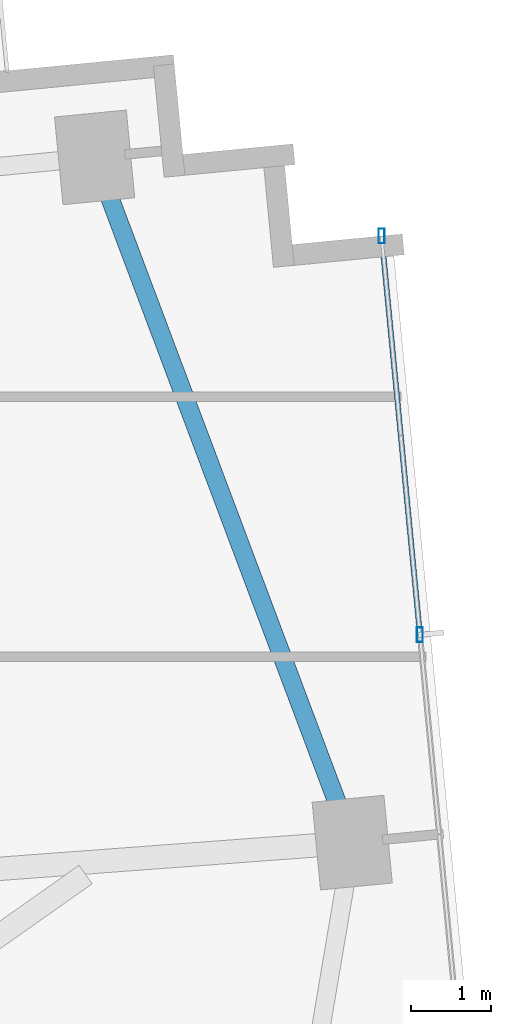
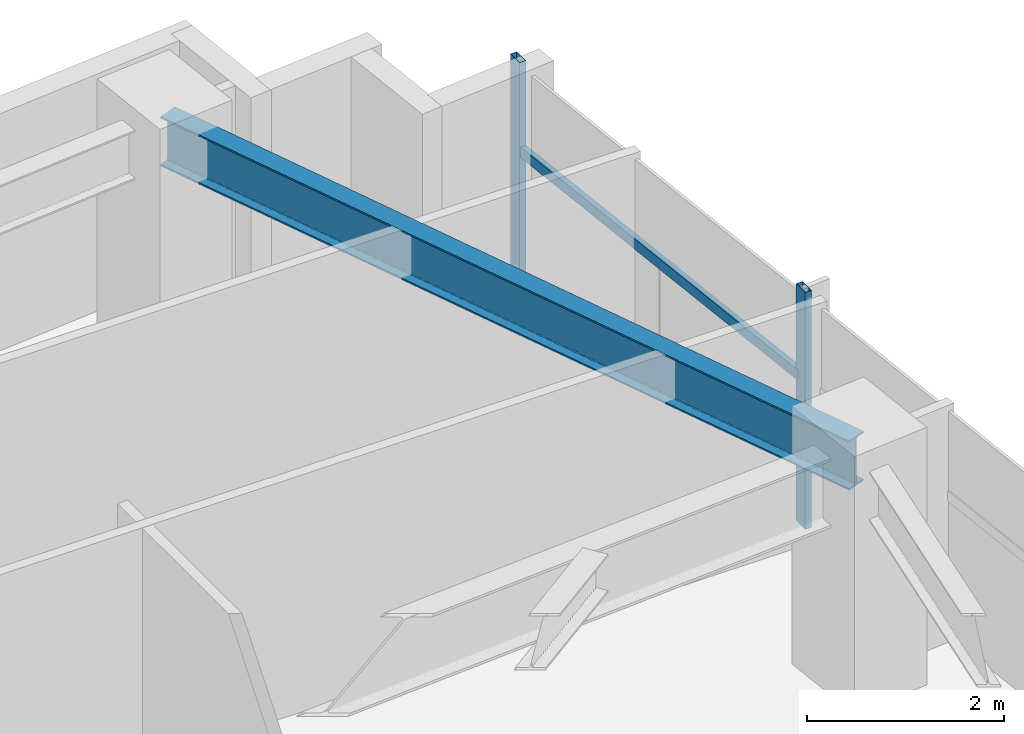
# One storey, part 17 of 25: 3 members, 1 beam, 1 element without a shape of its own.
"""IFC4 building model written with IfcOpenShell, lengths in metres."""

from ifc_helpers import new_model, si_unit, direction, frame, origin, origin_2d, place, context, subcontext, project, spatial, hollow_rectangle, i_section, extrude, source, transform, mapped, material, material_profile, profile_set, type_object, type_shapes, element, aggregate, save


model = new_model("IFC4")

# Units and contexts
model_context = context("Model", 3, precision=1e-05, world=origin(), true_north=direction((0.0, 1.0)))
body_context = subcontext(model_context, "Body", "Model", "MODEL_VIEW")
ifc_project = project(units=[si_unit("LENGTHUNIT", "METRE"), si_unit("AREAUNIT", "SQUARE_METRE"), si_unit("VOLUMEUNIT", "CUBIC_METRE"), si_unit("PLANEANGLEUNIT", "RADIAN"), si_unit("MASSUNIT", "GRAM", prefix="KILO")], contexts=[model_context])

# Site, building, storey
site_placement = place(None, origin())
site = spatial("IfcSite", under=ifc_project, at=site_placement, CompositionType="ELEMENT")
building_placement = place(site_placement, origin())
building = spatial("IfcBuilding", under=site, at=building_placement, Name="Astriad Promenade Condominiums", CompositionType="ELEMENT")
storey_placement = place(building_placement, frame((0.0, 0.0, 106.60009765625)))
storey = spatial("IfcBuildingStorey", under=building, at=storey_placement, Name="L30", CompositionType="ELEMENT", Elevation=106.60009765625)

# Beam
ifc_material_1 = material(Name="Steel ASTM A992 Grade 50", Category="steel")
ifc_material_profile_1 = material_profile(ifc_material_1, i_section(OverallWidth=0.22900390625, OverallDepth=0.612060546875, WebThickness=0.011962890625, FlangeThickness=0.01953125, FilletRadius=0.017822265625, at=origin_2d()), Name="W24X84")
ifc_profile_set_1 = profile_set([ifc_material_profile_1], Name="Steel ASTM A992 Grade 50")
beam_type = type_object("IfcBeamType", Name="STEEL SPANDREL BEAM W24X84", PredefinedType="SPANDREL", material=ifc_profile_set_1)
shared_shape_1 = source(origin(), body_context, "Body", "SweptSolid", [
    extrude(i_section(OverallWidth=0.22900390625, OverallDepth=0.612060546875, WebThickness=0.011962890625, FlangeThickness=0.01953125, FilletRadius=0.017822265625, at=origin_2d()), origin(), (0.0, 0.0, 1.0), 9.0556640625),
])
type_shapes(beam_type, [shared_shape_1])
beam_placement = place(storey_placement, frame((67.63427734375, 19.07666015625, 2.6337890625), z_axis=(-0.351856057459, 0.936054119605, 0.0), x_axis=(-0.936054119605, -0.351856057459, 0.0)))
element("IfcBeam", 1, at=beam_placement, inside=storey, type_object=beam_type, Name="Perimeter Spandrel Beam SP-E2-L30", PredefinedType="SPANDREL", context=body_context, shape_type="MappedRepresentation", body=[
    mapped(shared_shape_1, transform((0.0, 0.0, 0.0), scale=1.0)),
])

# Curtain wall, members
ifc_material_2 = material(Name="Anodised aluminium Black Dark Glass Unitised", Category="aluminium")
curtain_wall_type = type_object("IfcCurtainWallType", Name="CW-B2-DARK", PredefinedType="USERDEFINED", material=ifc_material_2)
curtain_wall_placement = place(storey_placement, origin())
curtain_wall = element("IfcCurtainWall", 2, at=curtain_wall_placement, inside=storey, type_object=curtain_wall_type, Name="CW-L30-E", ObjectType="UNITISED_CURTAIN_WALL", PredefinedType="USERDEFINED")
ifc_material_3 = material(Name="Anodised aluminium 6063-T6 Black", Category="aluminium")
ifc_material_profile_2 = material_profile(ifc_material_3, hollow_rectangle(XDim=0.074951171875, YDim=0.18505859375, WallThickness=0.00439453125, at=origin_2d()), Name="ALU-MUL-75X185")
ifc_profile_set_2 = profile_set([ifc_material_profile_2], Name="Anodised aluminium 6063-T6 Black")
member_type_1 = type_object("IfcMemberType", Name="MUL-ALU-MUL-75X185", PredefinedType="MULLION", material=ifc_profile_set_2)
shared_shape_2 = source(origin(), body_context, "Body", "SweptSolid", [
    extrude(hollow_rectangle(XDim=0.074951171875, YDim=0.18505859375, WallThickness=0.00439453125, at=origin_2d()), origin(), (0.0, 0.0, 1.0), 2.93994140625),
])
type_shapes(member_type_1, [shared_shape_2])
member_1_placement = place(storey_placement, frame((68.0146484375, 26.609130859375, 0.0), z_axis=(0.0, 0.0, 1.0), x_axis=(1.0, 0.0, 0.0)))
member_1 = element("IfcMember", 3, at=member_1_placement, type_object=member_type_1, Name="CW-L30-E-MUL-00", PredefinedType="MULLION", context=body_context, shape_type="MappedRepresentation", body=[
    mapped(shared_shape_2, transform((0.0, 0.0, 0.0), scale=1.0)),
])
member_2_placement = place(storey_placement, frame((68.493896484375, 21.632080078125, 0.0), z_axis=(0.0, 0.0, 1.0), x_axis=(1.0, 0.0, 0.0)))
member_2 = element("IfcMember", 4, at=member_2_placement, type_object=member_type_1, Name="CW-L30-E-MUL-01", PredefinedType="MULLION", context=body_context, shape_type="MappedRepresentation", body=[
    mapped(shared_shape_2, transform((0.0, 0.0, 0.0), scale=1.0)),
])
ifc_material_profile_3 = material_profile(ifc_material_3, hollow_rectangle(XDim=0.06494140625, YDim=0.1298828125, WallThickness=0.00390625, at=origin_2d()), Name="ALU-TRN-65X130")
ifc_profile_set_3 = profile_set([ifc_material_profile_3], Name="Anodised aluminium 6063-T6 Black")
member_type_2 = type_object("IfcMemberType", Name="TRN-ALU-TRN-65X130", PredefinedType="USERDEFINED", material=ifc_profile_set_3)
shared_shape_3 = source(origin(), body_context, "Body", "SweptSolid", [
    extrude(hollow_rectangle(XDim=0.06494140625, YDim=0.1298828125, WallThickness=0.00390625, at=origin_2d()), origin(), (0.0, 0.0, 1.0), 5.0),
])
type_shapes(member_type_2, [shared_shape_3])
member_3_placement = place(storey_placement, frame((68.0146484375, 26.609130859375, 1.82275390625), z_axis=(0.095848242264, -0.995395958629, 0.0), x_axis=(0.995395958629, 0.095848242264, 0.0)))
member_3 = element("IfcMember", 5, at=member_3_placement, type_object=member_type_2, Name="CW-L30-E-TRN-00-0", ObjectType="TRANSOM", PredefinedType="USERDEFINED", context=body_context, shape_type="MappedRepresentation", body=[
    mapped(shared_shape_3, transform((0.0, 0.0, 0.0), scale=1.0)),
])
aggregate(curtain_wall, [member_1, member_2, member_3])

save(model, "model.ifc")
